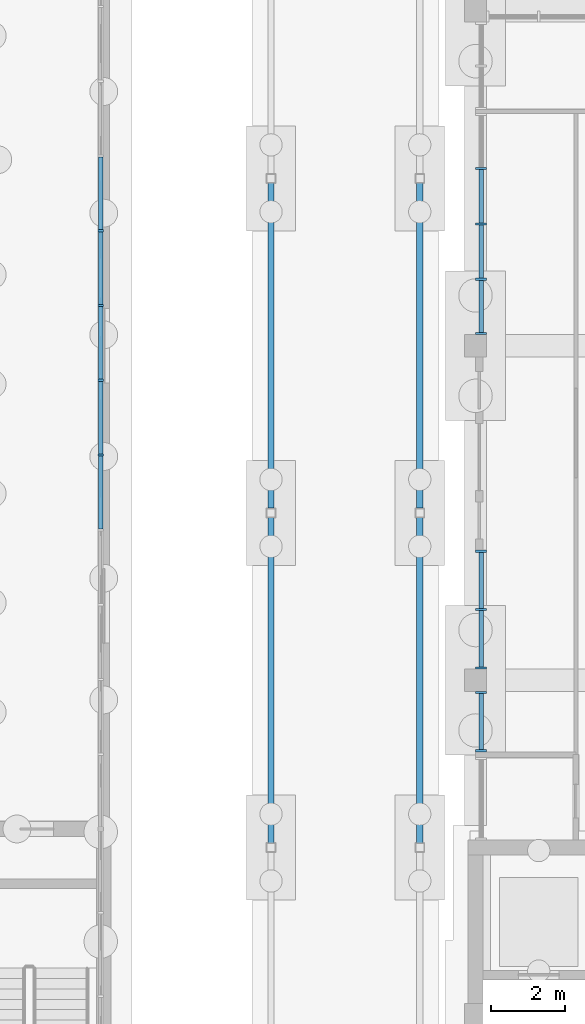
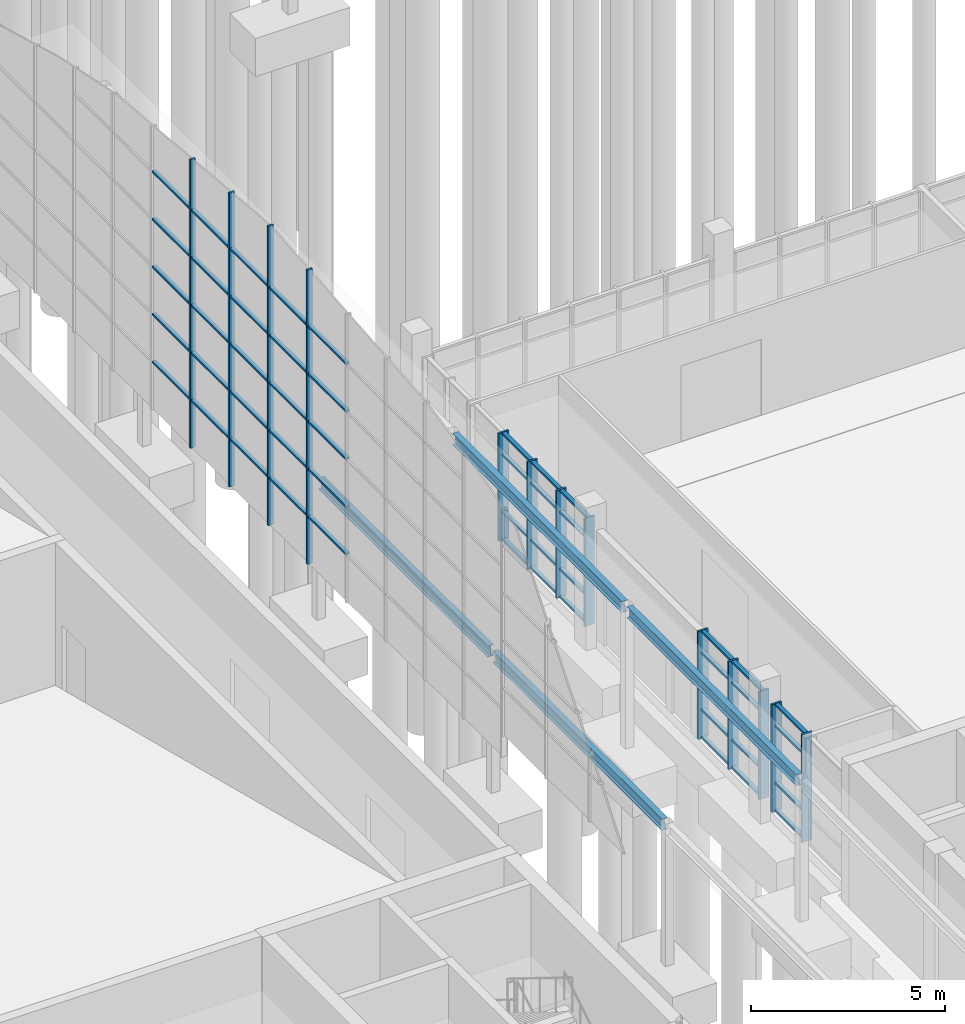
# One storey, part 30 of 106: 62 members, 4 beams, 4 elements without a shape of their own.
"""IFC4 building model written with IfcOpenShell, lengths in metres."""

import ifcopenshell
import ifcopenshell.guid

model = None  # the IFC model being written
_history = None  # IfcOwnerHistory: only IFC2X3 demands one
_inside = {}  # id of a spatial element -> (the spatial element, [elements in it])
_under = {}  # id of a project, library or spatial element -> (it, [spatial elements below it])
_declared = {}  # id of a project -> (the project, [libraries it declares])
_typed = {}  # id of a type object -> (the type object, [elements of that type])
_made_of = {}  # id of a material, layer set ... -> (it, [elements and type objects made of it])


def new_model(schema):
    """Start an empty IFC model of exactly this schema.

    Asked for "IFC4X3", IfcOpenShell would pick the latest addendum, in which some entities
    have other attributes; the version numbers below select the first issue.
    IFC2X3 requires an IfcOwnerHistory on every rooted entity: one is made here for all.
    """
    global model, _history
    if schema == "IFC4X3":
        model = ifcopenshell.file(schema_version=(4, 3, 0, 0))
    else:
        model = ifcopenshell.file(schema=schema)
    _inside.clear()
    _under.clear()
    _declared.clear()
    _typed.clear()
    _made_of.clear()
    _history = None
    if model.schema == "IFC2X3":
        org = make("IfcOrganization", Name="unknown")
        user = make(
            "IfcPersonAndOrganization",
            ThePerson=make("IfcPerson", FamilyName="unknown"),
            TheOrganization=org,
        )
        app = make(
            "IfcApplication",
            ApplicationDeveloper=org,
            Version="unknown",
            ApplicationFullName="unknown",
            ApplicationIdentifier="unknown",
        )
        _history = make(
            "IfcOwnerHistory",
            OwningUser=user,
            OwningApplication=app,
            ChangeAction="ADDED",
            CreationDate=0,
        )
    return model


def make(cls, **values):
    """One entity of the class cls with the attributes given. An attribute that is None is left unset."""
    return model.create_entity(
        cls, **{name: value for name, value in values.items() if value is not None}
    )


def rooted(cls, **values):
    """An entity with a GlobalId (a new one), such as an element, a storey or a relation."""
    return make(cls, GlobalId=ifcopenshell.guid.new(), OwnerHistory=_history, **values)


def si_unit(unit_type, name, prefix=None):
    """IfcSIUnit, for example si_unit("LENGTHUNIT", "METRE", prefix="MILLI")."""
    return make("IfcSIUnit", UnitType=unit_type, Prefix=prefix, Name=name)


def assignment(units):
    """IfcUnitAssignment: the units of a project."""
    return None if units is None else make("IfcUnitAssignment", Units=units)


def point(xyz):
    """IfcCartesianPoint."""
    return None if xyz is None else make("IfcCartesianPoint", Coordinates=xyz)


def direction(xyz):
    """IfcDirection."""
    return None if xyz is None else make("IfcDirection", DirectionRatios=xyz)


def frame(location, z_axis=None, x_axis=None):
    """IfcAxis2Placement3D, a coordinate frame: its origin and axes. An axis left out is left unset."""
    return make(
        "IfcAxis2Placement3D",
        Location=point(location),
        Axis=direction(z_axis),
        RefDirection=direction(x_axis),
    )


def frame_2d(location, x_axis=None):
    """IfcAxis2Placement2D, a coordinate frame in the plane: its origin and x axis."""
    return make(
        "IfcAxis2Placement2D", Location=point(location), RefDirection=direction(x_axis)
    )


def origin():
    """The frame at (0, 0, 0) with its axes left unset."""
    return frame((0.0, 0.0, 0.0))


def origin_2d():
    """The frame at (0, 0) in the plane with its x axis left unset."""
    return frame_2d((0.0, 0.0))


def place(relative_to, where):
    """IfcLocalPlacement: puts the frame where relative to a parent placement (None: the world)."""
    return make(
        "IfcLocalPlacement", PlacementRelTo=relative_to, RelativePlacement=where
    )


def context(
    kind, dimensions, precision=None, world=None, true_north=None, identifier=None
):
    """IfcGeometricRepresentationContext, for example the 3D "Model" context."""
    return make(
        "IfcGeometricRepresentationContext",
        ContextIdentifier=identifier,
        ContextType=kind,
        CoordinateSpaceDimension=dimensions,
        Precision=precision,
        WorldCoordinateSystem=world,
        TrueNorth=true_north,
    )


def subcontext(parent, identifier, kind, view, scale=None):
    """IfcGeometricRepresentationSubContext, for example "Body" below "Model"."""
    return make(
        "IfcGeometricRepresentationSubContext",
        ContextIdentifier=identifier,
        ContextType=kind,
        ParentContext=parent,
        TargetScale=scale,
        TargetView=view,
    )


def project(units=None, contexts=None):
    """IfcProject with its units and contexts."""
    return rooted(
        "IfcProject",
        Name="project",
        RepresentationContexts=contexts,
        UnitsInContext=assignment(units),
    )


def spatial(cls, under=None, at=None, **own):
    """A site, building, storey or space (cls), placed at a placement, below another one or the project."""
    s = rooted(cls, ObjectPlacement=at, **own)
    if under is not None:
        _under.setdefault(under.id(), (under, []))[1].append(s)
    return s


def profile(cls, at=None, kind="AREA", **sizes):
    """A parametric profile (cls). Its sizes go by their IFC names, for example OverallWidth=200.0."""
    return make(cls, ProfileType=kind, Position=at, **sizes)


def rectangle(**sizes):
    """IfcRectangleProfileDef."""
    return profile("IfcRectangleProfileDef", **sizes)


def i_section(**sizes):
    """IfcIShapeProfileDef."""
    return profile("IfcIShapeProfileDef", **sizes)


def extrude(swept, where, along, depth):
    """IfcExtrudedAreaSolid: the profile swept, set in the frame where, extruded along a direction by depth."""
    return make(
        "IfcExtrudedAreaSolid",
        SweptArea=swept,
        Position=where,
        ExtrudedDirection=direction(along),
        Depth=depth,
    )


def shape(context_of_items, identifier, shape_type, items):
    """IfcShapeRepresentation: the items that make up one representation, for example the "Body"."""
    return make(
        "IfcShapeRepresentation",
        ContextOfItems=context_of_items,
        RepresentationIdentifier=identifier,
        RepresentationType=shape_type,
        Items=items,
    )


def material(Name=None, Category=None):
    """IfcMaterial."""
    return make("IfcMaterial", Name=Name, Category=Category)


def material_profile(
    of_material, cross_section, Name=None, Category=None, Priority=None
):
    """IfcMaterialProfile: a cross section and its material."""
    return make(
        "IfcMaterialProfile",
        Name=Name,
        Material=of_material,
        Profile=cross_section,
        Priority=Priority,
        Category=Category,
    )


def profile_set(profiles, Name=None, composite=None):
    """IfcMaterialProfileSet."""
    return make(
        "IfcMaterialProfileSet",
        Name=Name,
        MaterialProfiles=profiles,
        CompositeProfile=composite,
    )


def made_of(thing, what):
    """Note that an element or type object is made of a material, layer set ...; save() writes the relation."""
    if what is not None:
        _made_of.setdefault(what.id(), (what, []))[1].append(thing)
    return thing


def type_object(cls, material=None, **own):
    """A type object (cls), such as IfcWallType, which elements share."""
    return made_of(rooted(cls, **own), material)


def element(
    cls,
    number,
    at=None,
    inside=None,
    cuts=None,
    type_object=None,
    material=None,
    context=None,
    identifier="Body",
    shape_type=None,
    held_by="IfcProductDefinitionShape",
    body=None,
    shapes=None,
    **own,
):
    """One element of the class cls, such as IfcWall. Its Tag is "e" and its number.

    at: its placement. inside: the storey or other place that contains it. cuts: it is an
    opening in that element (IfcRelVoidsElement). A single representation is given by context,
    identifier, shape_type and body (its items); several are given by shapes. held_by: the class
    of the entity that holds the representations. save() writes the other relations.
    """
    e = rooted(cls, Tag="e%d" % number, ObjectPlacement=at, **own)
    if body is not None:
        shapes = [shape(context, identifier, shape_type, body)]
    if shapes is not None:
        e.Representation = make(held_by, Representations=shapes)
    if inside is not None:
        _inside.setdefault(inside.id(), (inside, []))[1].append(e)
    if cuts is not None:
        rooted(
            "IfcRelVoidsElement", RelatingBuildingElement=cuts, RelatedOpeningElement=e
        )
    if type_object is not None:
        _typed.setdefault(type_object.id(), (type_object, []))[1].append(e)
    return made_of(e, material)


def aggregate(whole, parts):
    """IfcRelAggregates: a whole, such as a stair, and the parts it consists of."""
    return rooted("IfcRelAggregates", RelatingObject=whole, RelatedObjects=parts)


def save(model, path):
    """Write the relations noted so far, then the file.

    IfcRelAggregates (storeys below a building ...), IfcRelContainedInSpatialStructure (elements
    in a storey), IfcRelDefinesByType, IfcRelAssociatesMaterial and IfcRelDeclares: one each for
    every whole, place, type object, material and project.
    """
    for whole, parts in _under.values():
        aggregate(whole, parts)
    for where, things in _inside.values():
        rooted(
            "IfcRelContainedInSpatialStructure",
            RelatedElements=things,
            RelatingStructure=where,
        )
    for kind, things in _typed.values():
        rooted("IfcRelDefinesByType", RelatedObjects=things, RelatingType=kind)
    for what, things in _made_of.values():
        rooted("IfcRelAssociatesMaterial", RelatedObjects=things, RelatingMaterial=what)
    for by, libraries in _declared.values():
        rooted("IfcRelDeclares", RelatingContext=by, RelatedDefinitions=libraries)
    model.write(path)


model = new_model("IFC4")

# Units and contexts
model_context = context("Model", 3, precision=1e-05, world=origin(), true_north=direction((0.0, 1.0)))
body_context = subcontext(model_context, "Body", "Model", "MODEL_VIEW")
ifc_project = project(units=[si_unit("LENGTHUNIT", "METRE"), si_unit("AREAUNIT", "SQUARE_METRE"), si_unit("VOLUMEUNIT", "CUBIC_METRE"), si_unit("PLANEANGLEUNIT", "RADIAN"), si_unit("MASSUNIT", "GRAM", prefix="KILO")], contexts=[model_context])

# Site, building, storey
site_placement = place(None, origin())
site = spatial("IfcSite", under=ifc_project, at=site_placement, CompositionType="ELEMENT")
building_placement = place(site_placement, origin())
building = spatial("IfcBuilding", under=site, at=building_placement, Name="Merrow Basin Faculty of Sciences", CompositionType="ELEMENT")
storey_placement = place(building_placement, origin())
storey = spatial("IfcBuildingStorey", under=building, at=storey_placement, Name="L00", CompositionType="ELEMENT", Elevation=0.0)

# Curtain wall, members
ifc_material_1 = material(Name="Aluminium alloy 6063", Category="aluminium")
curtain_wall_type_1 = type_object("IfcCurtainWallType", Name="Arched curtain wall 160", PredefinedType="NOTDEFINED", material=ifc_material_1)
curtain_wall_1_placement = place(storey_placement, origin())
curtain_wall_1 = element("IfcCurtainWall", 1, at=curtain_wall_1_placement, inside=storey, type_object=curtain_wall_type_1, Name="East gable glazing C", PredefinedType="NOTDEFINED")
ifc_material_2 = material(Name="Aluminium alloy 6063", Category="aluminium")
ifc_material_profile_1 = material_profile(ifc_material_2, rectangle(XDim=0.159912109375, YDim=0.06005859375, at=origin_2d()))
ifc_profile_set_1 = profile_set([ifc_material_profile_1], Name="Aluminium alloy 6063")
member_type_1 = type_object("IfcMemberType", Name="Aluminium gable mullion 60x160", PredefinedType="MULLION", material=ifc_profile_set_1)
member_1_placement = place(storey_placement, frame((34.919921875, 24.055908203125, 7.5), z_axis=(0.0, 0.0, 1.0), x_axis=(1.0, 0.0, 0.0)))
member_1 = element("IfcMember", 2, at=member_1_placement, type_object=member_type_1, Name="CW4 mullion 6", PredefinedType="MULLION", context=body_context, shape_type="SweptSolid", body=[
    extrude(rectangle(XDim=0.159912109375, YDim=0.06005859375, at=origin_2d()), origin(), (0.0, 0.0, 1.0), 9.277099609375),
])
member_2_placement = place(storey_placement, frame((34.919921875, 26.06689453125, 7.5), z_axis=(0.0, 0.0, 1.0), x_axis=(1.0, 0.0, 0.0)))
member_2 = element("IfcMember", 3, at=member_2_placement, type_object=member_type_1, Name="CW4 mullion 7", PredefinedType="MULLION", context=body_context, shape_type="SweptSolid", body=[
    extrude(rectangle(XDim=0.159912109375, YDim=0.06005859375, at=origin_2d()), origin(), (0.0, 0.0, 1.0), 9.43994140625),
])
member_3_placement = place(storey_placement, frame((34.919921875, 28.077880859375, 7.5), z_axis=(0.0, 0.0, 1.0), x_axis=(1.0, 0.0, 0.0)))
member_3 = element("IfcMember", 4, at=member_3_placement, type_object=member_type_1, Name="CW4 mullion 8", PredefinedType="MULLION", context=body_context, shape_type="SweptSolid", body=[
    extrude(rectangle(XDim=0.159912109375, YDim=0.06005859375, at=origin_2d()), origin(), (0.0, 0.0, 1.0), 9.264892578125),
])
member_4_placement = place(storey_placement, frame((34.919921875, 30.089111328125, 7.5), z_axis=(0.0, 0.0, 1.0), x_axis=(1.0, 0.0, 0.0)))
member_4 = element("IfcMember", 5, at=member_4_placement, type_object=member_type_1, Name="CW4 mullion 9", PredefinedType="MULLION", context=body_context, shape_type="SweptSolid", body=[
    extrude(rectangle(XDim=0.159912109375, YDim=0.06005859375, at=origin_2d()), origin(), (0.0, 0.0, 1.0), 9.090087890625),
])
ifc_material_3 = material(Name="Aluminium alloy 6063", Category="aluminium")
ifc_material_profile_2 = material_profile(ifc_material_3, rectangle(XDim=0.1201171875, YDim=0.06005859375, at=origin_2d()))
ifc_profile_set_2 = profile_set([ifc_material_profile_2], Name="Aluminium alloy 6063")
member_type_2 = type_object("IfcMemberType", Name="Aluminium gable transom 60x120", PredefinedType="USERDEFINED", material=ifc_profile_set_2)
member_5_placement = place(storey_placement, frame((34.919921875, 22.073974609375, 9.0), z_axis=(0.0, 1.0, 0.0), x_axis=(-1.0, 0.0, 0.0)))
member_5 = element("IfcMember", 6, at=member_5_placement, type_object=member_type_2, Name="CW4 transom 5.1", ObjectType="TRANSOM", PredefinedType="USERDEFINED", context=body_context, shape_type="SweptSolid", body=[
    extrude(rectangle(XDim=0.1201171875, YDim=0.06005859375, at=origin_2d()), origin(), (0.0, 0.0, 1.0), 1.951904296875),
])
member_6_placement = place(storey_placement, frame((34.919921875, 22.073974609375, 10.5), z_axis=(0.0, 1.0, 0.0), x_axis=(-1.0, 0.0, 0.0)))
member_6 = element("IfcMember", 7, at=member_6_placement, type_object=member_type_2, Name="CW4 transom 5.2", ObjectType="TRANSOM", PredefinedType="USERDEFINED", context=body_context, shape_type="SweptSolid", body=[
    extrude(rectangle(XDim=0.1201171875, YDim=0.06005859375, at=origin_2d()), origin(), (0.0, 0.0, 1.0), 1.951904296875),
])
member_7_placement = place(storey_placement, frame((34.919921875, 22.073974609375, 12.0), z_axis=(0.0, 1.0, 0.0), x_axis=(-1.0, 0.0, 0.0)))
member_7 = element("IfcMember", 8, at=member_7_placement, type_object=member_type_2, Name="CW4 transom 5.3", ObjectType="TRANSOM", PredefinedType="USERDEFINED", context=body_context, shape_type="SweptSolid", body=[
    extrude(rectangle(XDim=0.1201171875, YDim=0.06005859375, at=origin_2d()), origin(), (0.0, 0.0, 1.0), 1.951904296875),
])
member_8_placement = place(storey_placement, frame((34.919921875, 22.073974609375, 13.5), z_axis=(0.0, 1.0, 0.0), x_axis=(-1.0, 0.0, 0.0)))
member_8 = element("IfcMember", 9, at=member_8_placement, type_object=member_type_2, Name="CW4 transom 5.4", ObjectType="TRANSOM", PredefinedType="USERDEFINED", context=body_context, shape_type="SweptSolid", body=[
    extrude(rectangle(XDim=0.1201171875, YDim=0.06005859375, at=origin_2d()), origin(), (0.0, 0.0, 1.0), 1.951904296875),
])
member_9_placement = place(storey_placement, frame((34.919921875, 22.073974609375, 15.0), z_axis=(0.0, 1.0, 0.0), x_axis=(-1.0, 0.0, 0.0)))
member_9 = element("IfcMember", 10, at=member_9_placement, type_object=member_type_2, Name="CW4 transom 5.5", ObjectType="TRANSOM", PredefinedType="USERDEFINED", context=body_context, shape_type="SweptSolid", body=[
    extrude(rectangle(XDim=0.1201171875, YDim=0.06005859375, at=origin_2d()), origin(), (0.0, 0.0, 1.0), 1.951904296875),
])
member_10_placement = place(storey_placement, frame((34.919921875, 24.0859375, 9.0), z_axis=(0.0, 1.0, 0.0), x_axis=(-1.0, 0.0, 0.0)))
member_10 = element("IfcMember", 11, at=member_10_placement, type_object=member_type_2, Name="CW4 transom 6.1", ObjectType="TRANSOM", PredefinedType="USERDEFINED", context=body_context, shape_type="SweptSolid", body=[
    extrude(rectangle(XDim=0.1201171875, YDim=0.06005859375, at=origin_2d()), origin(), (0.0, 0.0, 1.0), 1.951171875),
])
member_11_placement = place(storey_placement, frame((34.919921875, 24.0859375, 10.5), z_axis=(0.0, 1.0, 0.0), x_axis=(-1.0, 0.0, 0.0)))
member_11 = element("IfcMember", 12, at=member_11_placement, type_object=member_type_2, Name="CW4 transom 6.2", ObjectType="TRANSOM", PredefinedType="USERDEFINED", context=body_context, shape_type="SweptSolid", body=[
    extrude(rectangle(XDim=0.1201171875, YDim=0.06005859375, at=origin_2d()), origin(), (0.0, 0.0, 1.0), 1.951171875),
])
member_12_placement = place(storey_placement, frame((34.919921875, 24.0859375, 12.0), z_axis=(0.0, 1.0, 0.0), x_axis=(-1.0, 0.0, 0.0)))
member_12 = element("IfcMember", 13, at=member_12_placement, type_object=member_type_2, Name="CW4 transom 6.3", ObjectType="TRANSOM", PredefinedType="USERDEFINED", context=body_context, shape_type="SweptSolid", body=[
    extrude(rectangle(XDim=0.1201171875, YDim=0.06005859375, at=origin_2d()), origin(), (0.0, 0.0, 1.0), 1.951171875),
])
member_13_placement = place(storey_placement, frame((34.919921875, 24.0859375, 13.5), z_axis=(0.0, 1.0, 0.0), x_axis=(-1.0, 0.0, 0.0)))
member_13 = element("IfcMember", 14, at=member_13_placement, type_object=member_type_2, Name="CW4 transom 6.4", ObjectType="TRANSOM", PredefinedType="USERDEFINED", context=body_context, shape_type="SweptSolid", body=[
    extrude(rectangle(XDim=0.1201171875, YDim=0.06005859375, at=origin_2d()), origin(), (0.0, 0.0, 1.0), 1.951171875),
])
member_14_placement = place(storey_placement, frame((34.919921875, 24.0859375, 15.0), z_axis=(0.0, 1.0, 0.0), x_axis=(-1.0, 0.0, 0.0)))
member_14 = element("IfcMember", 15, at=member_14_placement, type_object=member_type_2, Name="CW4 transom 6.5", ObjectType="TRANSOM", PredefinedType="USERDEFINED", context=body_context, shape_type="SweptSolid", body=[
    extrude(rectangle(XDim=0.1201171875, YDim=0.06005859375, at=origin_2d()), origin(), (0.0, 0.0, 1.0), 1.951171875),
])
member_15_placement = place(storey_placement, frame((34.919921875, 26.096923828125, 9.0), z_axis=(0.0, 1.0, 0.0), x_axis=(-1.0, 0.0, 0.0)))
member_15 = element("IfcMember", 16, at=member_15_placement, type_object=member_type_2, Name="CW4 transom 7.1", ObjectType="TRANSOM", PredefinedType="USERDEFINED", context=body_context, shape_type="SweptSolid", body=[
    extrude(rectangle(XDim=0.1201171875, YDim=0.06005859375, at=origin_2d()), origin(), (0.0, 0.0, 1.0), 1.951171875),
])
member_16_placement = place(storey_placement, frame((34.919921875, 26.096923828125, 10.5), z_axis=(0.0, 1.0, 0.0), x_axis=(-1.0, 0.0, 0.0)))
member_16 = element("IfcMember", 17, at=member_16_placement, type_object=member_type_2, Name="CW4 transom 7.2", ObjectType="TRANSOM", PredefinedType="USERDEFINED", context=body_context, shape_type="SweptSolid", body=[
    extrude(rectangle(XDim=0.1201171875, YDim=0.06005859375, at=origin_2d()), origin(), (0.0, 0.0, 1.0), 1.951171875),
])
member_17_placement = place(storey_placement, frame((34.919921875, 26.096923828125, 12.0), z_axis=(0.0, 1.0, 0.0), x_axis=(-1.0, 0.0, 0.0)))
member_17 = element("IfcMember", 18, at=member_17_placement, type_object=member_type_2, Name="CW4 transom 7.3", ObjectType="TRANSOM", PredefinedType="USERDEFINED", context=body_context, shape_type="SweptSolid", body=[
    extrude(rectangle(XDim=0.1201171875, YDim=0.06005859375, at=origin_2d()), origin(), (0.0, 0.0, 1.0), 1.951171875),
])
member_18_placement = place(storey_placement, frame((34.919921875, 26.096923828125, 13.5), z_axis=(0.0, 1.0, 0.0), x_axis=(-1.0, 0.0, 0.0)))
member_18 = element("IfcMember", 19, at=member_18_placement, type_object=member_type_2, Name="CW4 transom 7.4", ObjectType="TRANSOM", PredefinedType="USERDEFINED", context=body_context, shape_type="SweptSolid", body=[
    extrude(rectangle(XDim=0.1201171875, YDim=0.06005859375, at=origin_2d()), origin(), (0.0, 0.0, 1.0), 1.951171875),
])
member_19_placement = place(storey_placement, frame((34.919921875, 26.096923828125, 15.0), z_axis=(0.0, 1.0, 0.0), x_axis=(-1.0, 0.0, 0.0)))
member_19 = element("IfcMember", 20, at=member_19_placement, type_object=member_type_2, Name="CW4 transom 7.5", ObjectType="TRANSOM", PredefinedType="USERDEFINED", context=body_context, shape_type="SweptSolid", body=[
    extrude(rectangle(XDim=0.1201171875, YDim=0.06005859375, at=origin_2d()), origin(), (0.0, 0.0, 1.0), 1.951171875),
])
member_20_placement = place(storey_placement, frame((34.919921875, 28.10791015625, 9.0), z_axis=(0.0, 1.0, 0.0), x_axis=(-1.0, 0.0, 0.0)))
member_20 = element("IfcMember", 21, at=member_20_placement, type_object=member_type_2, Name="CW4 transom 8.1", ObjectType="TRANSOM", PredefinedType="USERDEFINED", context=body_context, shape_type="SweptSolid", body=[
    extrude(rectangle(XDim=0.1201171875, YDim=0.06005859375, at=origin_2d()), origin(), (0.0, 0.0, 1.0), 1.951171875),
])
member_21_placement = place(storey_placement, frame((34.919921875, 28.10791015625, 10.5), z_axis=(0.0, 1.0, 0.0), x_axis=(-1.0, 0.0, 0.0)))
member_21 = element("IfcMember", 22, at=member_21_placement, type_object=member_type_2, Name="CW4 transom 8.2", ObjectType="TRANSOM", PredefinedType="USERDEFINED", context=body_context, shape_type="SweptSolid", body=[
    extrude(rectangle(XDim=0.1201171875, YDim=0.06005859375, at=origin_2d()), origin(), (0.0, 0.0, 1.0), 1.951171875),
])
member_22_placement = place(storey_placement, frame((34.919921875, 28.10791015625, 12.0), z_axis=(0.0, 1.0, 0.0), x_axis=(-1.0, 0.0, 0.0)))
member_22 = element("IfcMember", 23, at=member_22_placement, type_object=member_type_2, Name="CW4 transom 8.3", ObjectType="TRANSOM", PredefinedType="USERDEFINED", context=body_context, shape_type="SweptSolid", body=[
    extrude(rectangle(XDim=0.1201171875, YDim=0.06005859375, at=origin_2d()), origin(), (0.0, 0.0, 1.0), 1.951171875),
])
member_23_placement = place(storey_placement, frame((34.919921875, 28.10791015625, 13.5), z_axis=(0.0, 1.0, 0.0), x_axis=(-1.0, 0.0, 0.0)))
member_23 = element("IfcMember", 24, at=member_23_placement, type_object=member_type_2, Name="CW4 transom 8.4", ObjectType="TRANSOM", PredefinedType="USERDEFINED", context=body_context, shape_type="SweptSolid", body=[
    extrude(rectangle(XDim=0.1201171875, YDim=0.06005859375, at=origin_2d()), origin(), (0.0, 0.0, 1.0), 1.951171875),
])
member_24_placement = place(storey_placement, frame((34.919921875, 28.10791015625, 15.0), z_axis=(0.0, 1.0, 0.0), x_axis=(-1.0, 0.0, 0.0)))
member_24 = element("IfcMember", 25, at=member_24_placement, type_object=member_type_2, Name="CW4 transom 8.5", ObjectType="TRANSOM", PredefinedType="USERDEFINED", context=body_context, shape_type="SweptSolid", body=[
    extrude(rectangle(XDim=0.1201171875, YDim=0.06005859375, at=origin_2d()), origin(), (0.0, 0.0, 1.0), 1.951171875),
])
member_25_placement = place(storey_placement, frame((34.919921875, 30.118896484375, 9.0), z_axis=(0.0, 1.0, 0.0), x_axis=(-1.0, 0.0, 0.0)))
member_25 = element("IfcMember", 26, at=member_25_placement, type_object=member_type_2, Name="CW4 transom 9.1", ObjectType="TRANSOM", PredefinedType="USERDEFINED", context=body_context, shape_type="SweptSolid", body=[
    extrude(rectangle(XDim=0.1201171875, YDim=0.06005859375, at=origin_2d()), origin(), (0.0, 0.0, 1.0), 1.951171875),
])
member_26_placement = place(storey_placement, frame((34.919921875, 30.118896484375, 10.5), z_axis=(0.0, 1.0, 0.0), x_axis=(-1.0, 0.0, 0.0)))
member_26 = element("IfcMember", 27, at=member_26_placement, type_object=member_type_2, Name="CW4 transom 9.2", ObjectType="TRANSOM", PredefinedType="USERDEFINED", context=body_context, shape_type="SweptSolid", body=[
    extrude(rectangle(XDim=0.1201171875, YDim=0.06005859375, at=origin_2d()), origin(), (0.0, 0.0, 1.0), 1.951171875),
])
member_27_placement = place(storey_placement, frame((34.919921875, 30.118896484375, 12.0), z_axis=(0.0, 1.0, 0.0), x_axis=(-1.0, 0.0, 0.0)))
member_27 = element("IfcMember", 28, at=member_27_placement, type_object=member_type_2, Name="CW4 transom 9.3", ObjectType="TRANSOM", PredefinedType="USERDEFINED", context=body_context, shape_type="SweptSolid", body=[
    extrude(rectangle(XDim=0.1201171875, YDim=0.06005859375, at=origin_2d()), origin(), (0.0, 0.0, 1.0), 1.951171875),
])
member_28_placement = place(storey_placement, frame((34.919921875, 30.118896484375, 13.5), z_axis=(0.0, 1.0, 0.0), x_axis=(-1.0, 0.0, 0.0)))
member_28 = element("IfcMember", 29, at=member_28_placement, type_object=member_type_2, Name="CW4 transom 9.4", ObjectType="TRANSOM", PredefinedType="USERDEFINED", context=body_context, shape_type="SweptSolid", body=[
    extrude(rectangle(XDim=0.1201171875, YDim=0.06005859375, at=origin_2d()), origin(), (0.0, 0.0, 1.0), 1.951171875),
])
member_29_placement = place(storey_placement, frame((34.919921875, 30.118896484375, 15.0), z_axis=(0.0, 1.0, 0.0), x_axis=(-1.0, 0.0, 0.0)))
member_29 = element("IfcMember", 30, at=member_29_placement, type_object=member_type_2, Name="CW4 transom 9.5", ObjectType="TRANSOM", PredefinedType="USERDEFINED", context=body_context, shape_type="SweptSolid", body=[
    extrude(rectangle(XDim=0.1201171875, YDim=0.06005859375, at=origin_2d()), origin(), (0.0, 0.0, 1.0), 1.951171875),
])
aggregate(curtain_wall_1, [member_1, member_2, member_3, member_4, member_5, member_6, member_7, member_8, member_9, member_10, member_11, member_12, member_13, member_14, member_15, member_16, member_17, member_18, member_19, member_20, member_21, member_22, member_23, member_24, member_25, member_26, member_27, member_28, member_29])

ifc_material_4 = material(Name="Aluminium alloy 6063", Category="aluminium")
curtain_wall_type_2 = type_object("IfcCurtainWallType", Name="Atrium concourse curtain wall 300", PredefinedType="NOTDEFINED", material=ifc_material_4)
curtain_wall_2_placement = place(storey_placement, origin())
curtain_wall_2 = element("IfcCurtainWall", 31, at=curtain_wall_2_placement, inside=storey, type_object=curtain_wall_type_2, Name="W curtain wall L00 2", PredefinedType="NOTDEFINED")
ifc_material_5 = material(Name="Aluminium alloy 6063", Category="aluminium")
ifc_material_profile_3 = material_profile(ifc_material_5, rectangle(XDim=0.300048828125, YDim=0.06005859375, at=origin_2d()))
ifc_profile_set_3 = profile_set([ifc_material_profile_3], Name="Aluminium alloy 6063")
member_type_3 = type_object("IfcMemberType", Name="Aluminium mullion 60x300", PredefinedType="MULLION", material=ifc_profile_set_3)
member_30_placement = place(storey_placement, frame((45.14990234375, 16.10498046875, 0.0), z_axis=(0.0, 0.0, 1.0), x_axis=(-1.0, 0.0, 0.0)))
member_30 = element("IfcMember", 32, at=member_30_placement, type_object=member_type_3, Name="CW6 mullion 1", PredefinedType="MULLION", context=body_context, shape_type="SweptSolid", body=[
    extrude(rectangle(XDim=0.300048828125, YDim=0.06005859375, at=origin_2d()), origin(), (0.0, 0.0, 1.0), 3.39990234375),
])
member_31_placement = place(storey_placement, frame((45.14990234375, 17.669921875, 0.0), z_axis=(0.0, 0.0, 1.0), x_axis=(-1.0, 0.0, 0.0)))
member_31 = element("IfcMember", 33, at=member_31_placement, type_object=member_type_3, Name="CW6 mullion 2", PredefinedType="MULLION", context=body_context, shape_type="SweptSolid", body=[
    extrude(rectangle(XDim=0.300048828125, YDim=0.06005859375, at=origin_2d()), origin(), (0.0, 0.0, 1.0), 3.39990234375),
])

curtain_wall_3_placement = place(storey_placement, origin())
curtain_wall_3 = element("IfcCurtainWall", 34, at=curtain_wall_3_placement, inside=storey, type_object=curtain_wall_type_2, Name="W curtain wall L00 3", PredefinedType="NOTDEFINED")
member_32_placement = place(storey_placement, frame((45.14990234375, 18.330078125, 0.0), z_axis=(0.0, 0.0, 1.0), x_axis=(-1.0, 0.0, 0.0)))
member_32 = element("IfcMember", 35, at=member_32_placement, type_object=member_type_3, Name="CW6 mullion 1", PredefinedType="MULLION", context=body_context, shape_type="SweptSolid", body=[
    extrude(rectangle(XDim=0.300048828125, YDim=0.06005859375, at=origin_2d()), origin(), (0.0, 0.0, 1.0), 3.39990234375),
])
member_33_placement = place(storey_placement, frame((45.14990234375, 19.89990234375, 0.0), z_axis=(0.0, 0.0, 1.0), x_axis=(-1.0, 0.0, 0.0)))
member_33 = element("IfcMember", 36, at=member_33_placement, type_object=member_type_3, Name="CW6 mullion 2", PredefinedType="MULLION", context=body_context, shape_type="SweptSolid", body=[
    extrude(rectangle(XDim=0.300048828125, YDim=0.06005859375, at=origin_2d()), origin(), (0.0, 0.0, 1.0), 3.39990234375),
])
member_34_placement = place(storey_placement, frame((45.14990234375, 21.469970703125, 0.0), z_axis=(0.0, 0.0, 1.0), x_axis=(-1.0, 0.0, 0.0)))
member_34 = element("IfcMember", 37, at=member_34_placement, type_object=member_type_3, Name="CW6 mullion 3", PredefinedType="MULLION", context=body_context, shape_type="SweptSolid", body=[
    extrude(rectangle(XDim=0.300048828125, YDim=0.06005859375, at=origin_2d()), origin(), (0.0, 0.0, 1.0), 3.39990234375),
])

curtain_wall_4_placement = place(storey_placement, origin())
curtain_wall_4 = element("IfcCurtainWall", 38, at=curtain_wall_4_placement, inside=storey, type_object=curtain_wall_type_2, Name="W curtain wall L00 4", PredefinedType="NOTDEFINED")
member_35_placement = place(storey_placement, frame((45.14990234375, 27.330078125, 0.0), z_axis=(0.0, 0.0, 1.0), x_axis=(-1.0, 0.0, 0.0)))
member_35 = element("IfcMember", 39, at=member_35_placement, type_object=member_type_3, Name="CW6 mullion 1", PredefinedType="MULLION", context=body_context, shape_type="SweptSolid", body=[
    extrude(rectangle(XDim=0.300048828125, YDim=0.06005859375, at=origin_2d()), origin(), (0.0, 0.0, 1.0), 3.39990234375),
])
member_36_placement = place(storey_placement, frame((45.14990234375, 28.78759765625, 0.0), z_axis=(0.0, 0.0, 1.0), x_axis=(-1.0, 0.0, 0.0)))
member_36 = element("IfcMember", 40, at=member_36_placement, type_object=member_type_3, Name="CW6 mullion 2", PredefinedType="MULLION", context=body_context, shape_type="SweptSolid", body=[
    extrude(rectangle(XDim=0.300048828125, YDim=0.06005859375, at=origin_2d()), origin(), (0.0, 0.0, 1.0), 3.39990234375),
])
member_37_placement = place(storey_placement, frame((45.14990234375, 30.27490234375, 0.0), z_axis=(0.0, 0.0, 1.0), x_axis=(-1.0, 0.0, 0.0)))
member_37 = element("IfcMember", 41, at=member_37_placement, type_object=member_type_3, Name="CW6 mullion 3", PredefinedType="MULLION", context=body_context, shape_type="SweptSolid", body=[
    extrude(rectangle(XDim=0.300048828125, YDim=0.06005859375, at=origin_2d()), origin(), (0.0, 0.0, 1.0), 3.39990234375),
])
member_38_placement = place(storey_placement, frame((45.14990234375, 31.762451171875, 0.0), z_axis=(0.0, 0.0, 1.0), x_axis=(-1.0, 0.0, 0.0)))
member_38 = element("IfcMember", 42, at=member_38_placement, type_object=member_type_3, Name="CW6 mullion 4", PredefinedType="MULLION", context=body_context, shape_type="SweptSolid", body=[
    extrude(rectangle(XDim=0.300048828125, YDim=0.06005859375, at=origin_2d()), origin(), (0.0, 0.0, 1.0), 3.39990234375),
])

# Member
ifc_material_6 = material(Name="Aluminium alloy 6063", Category="aluminium")
ifc_material_profile_4 = material_profile(ifc_material_6, rectangle(XDim=0.1201171875, YDim=0.06005859375, at=origin_2d()))
ifc_profile_set_4 = profile_set([ifc_material_profile_4], Name="Aluminium alloy 6063")
member_type_4 = type_object("IfcMemberType", Name="Aluminium transom 60x120", PredefinedType="USERDEFINED", material=ifc_profile_set_4)
member_39_placement = place(storey_placement, frame((45.14990234375, 16.135009765625, 0.030029296875), z_axis=(0.0, 1.0, 0.0), x_axis=(-1.0, 0.0, 0.0)))
member_39 = element("IfcMember", 43, at=member_39_placement, type_object=member_type_4, Name="CW6 transom 1.1", ObjectType="TRANSOM", PredefinedType="USERDEFINED", context=body_context, shape_type="SweptSolid", body=[
    extrude(rectangle(XDim=0.1201171875, YDim=0.06005859375, at=origin_2d()), origin(), (0.0, 0.0, 1.0), 1.5048828125),
])

member_40_placement = place(storey_placement, frame((45.14990234375, 16.135009765625, 0.89990234375), z_axis=(0.0, 1.0, 0.0), x_axis=(-1.0, 0.0, 0.0)))
member_40 = element("IfcMember", 44, at=member_40_placement, type_object=member_type_4, Name="CW6 transom 1.2", ObjectType="TRANSOM", PredefinedType="USERDEFINED", context=body_context, shape_type="SweptSolid", body=[
    extrude(rectangle(XDim=0.1201171875, YDim=0.06005859375, at=origin_2d()), origin(), (0.0, 0.0, 1.0), 1.5048828125),
])

member_41_placement = place(storey_placement, frame((45.14990234375, 16.135009765625, 2.699951171875), z_axis=(0.0, 1.0, 0.0), x_axis=(-1.0, 0.0, 0.0)))
member_41 = element("IfcMember", 45, at=member_41_placement, type_object=member_type_4, Name="CW6 transom 1.3", ObjectType="TRANSOM", PredefinedType="USERDEFINED", context=body_context, shape_type="SweptSolid", body=[
    extrude(rectangle(XDim=0.1201171875, YDim=0.06005859375, at=origin_2d()), origin(), (0.0, 0.0, 1.0), 1.5048828125),
])

member_42_placement = place(storey_placement, frame((45.14990234375, 16.135009765625, 3.3701171875), z_axis=(0.0, 1.0, 0.0), x_axis=(-1.0, 0.0, 0.0)))
member_42 = element("IfcMember", 46, at=member_42_placement, type_object=member_type_4, Name="CW6 transom 1.4", ObjectType="TRANSOM", PredefinedType="USERDEFINED", context=body_context, shape_type="SweptSolid", body=[
    extrude(rectangle(XDim=0.1201171875, YDim=0.06005859375, at=origin_2d()), origin(), (0.0, 0.0, 1.0), 1.5048828125),
])

aggregate(curtain_wall_2, [member_30, member_31, member_39, member_40, member_41, member_42])

member_43_placement = place(storey_placement, frame((45.14990234375, 18.360107421875, 0.030029296875), z_axis=(0.0, 1.0, 0.0), x_axis=(-1.0, 0.0, 0.0)))
member_43 = element("IfcMember", 47, at=member_43_placement, type_object=member_type_4, Name="CW6 transom 1.1", ObjectType="TRANSOM", PredefinedType="USERDEFINED", context=body_context, shape_type="SweptSolid", body=[
    extrude(rectangle(XDim=0.1201171875, YDim=0.06005859375, at=origin_2d()), origin(), (0.0, 0.0, 1.0), 1.510009765625),
])

member_44_placement = place(storey_placement, frame((45.14990234375, 18.360107421875, 0.89990234375), z_axis=(0.0, 1.0, 0.0), x_axis=(-1.0, 0.0, 0.0)))
member_44 = element("IfcMember", 48, at=member_44_placement, type_object=member_type_4, Name="CW6 transom 1.2", ObjectType="TRANSOM", PredefinedType="USERDEFINED", context=body_context, shape_type="SweptSolid", body=[
    extrude(rectangle(XDim=0.1201171875, YDim=0.06005859375, at=origin_2d()), origin(), (0.0, 0.0, 1.0), 1.510009765625),
])

member_45_placement = place(storey_placement, frame((45.14990234375, 18.360107421875, 2.699951171875), z_axis=(0.0, 1.0, 0.0), x_axis=(-1.0, 0.0, 0.0)))
member_45 = element("IfcMember", 49, at=member_45_placement, type_object=member_type_4, Name="CW6 transom 1.3", ObjectType="TRANSOM", PredefinedType="USERDEFINED", context=body_context, shape_type="SweptSolid", body=[
    extrude(rectangle(XDim=0.1201171875, YDim=0.06005859375, at=origin_2d()), origin(), (0.0, 0.0, 1.0), 1.510009765625),
])

member_46_placement = place(storey_placement, frame((45.14990234375, 18.360107421875, 3.3701171875), z_axis=(0.0, 1.0, 0.0), x_axis=(-1.0, 0.0, 0.0)))
member_46 = element("IfcMember", 50, at=member_46_placement, type_object=member_type_4, Name="CW6 transom 1.4", ObjectType="TRANSOM", PredefinedType="USERDEFINED", context=body_context, shape_type="SweptSolid", body=[
    extrude(rectangle(XDim=0.1201171875, YDim=0.06005859375, at=origin_2d()), origin(), (0.0, 0.0, 1.0), 1.510009765625),
])

member_47_placement = place(storey_placement, frame((45.14990234375, 19.929931640625, 0.030029296875), z_axis=(0.0, 1.0, 0.0), x_axis=(-1.0, 0.0, 0.0)))
member_47 = element("IfcMember", 51, at=member_47_placement, type_object=member_type_4, Name="CW6 transom 2.1", ObjectType="TRANSOM", PredefinedType="USERDEFINED", context=body_context, shape_type="SweptSolid", body=[
    extrude(rectangle(XDim=0.1201171875, YDim=0.06005859375, at=origin_2d()), origin(), (0.0, 0.0, 1.0), 1.510009765625),
])

member_48_placement = place(storey_placement, frame((45.14990234375, 19.929931640625, 0.89990234375), z_axis=(0.0, 1.0, 0.0), x_axis=(-1.0, 0.0, 0.0)))
member_48 = element("IfcMember", 52, at=member_48_placement, type_object=member_type_4, Name="CW6 transom 2.2", ObjectType="TRANSOM", PredefinedType="USERDEFINED", context=body_context, shape_type="SweptSolid", body=[
    extrude(rectangle(XDim=0.1201171875, YDim=0.06005859375, at=origin_2d()), origin(), (0.0, 0.0, 1.0), 1.510009765625),
])

member_49_placement = place(storey_placement, frame((45.14990234375, 19.929931640625, 2.699951171875), z_axis=(0.0, 1.0, 0.0), x_axis=(-1.0, 0.0, 0.0)))
member_49 = element("IfcMember", 53, at=member_49_placement, type_object=member_type_4, Name="CW6 transom 2.3", ObjectType="TRANSOM", PredefinedType="USERDEFINED", context=body_context, shape_type="SweptSolid", body=[
    extrude(rectangle(XDim=0.1201171875, YDim=0.06005859375, at=origin_2d()), origin(), (0.0, 0.0, 1.0), 1.510009765625),
])

member_50_placement = place(storey_placement, frame((45.14990234375, 19.929931640625, 3.3701171875), z_axis=(0.0, 1.0, 0.0), x_axis=(-1.0, 0.0, 0.0)))
member_50 = element("IfcMember", 54, at=member_50_placement, type_object=member_type_4, Name="CW6 transom 2.4", ObjectType="TRANSOM", PredefinedType="USERDEFINED", context=body_context, shape_type="SweptSolid", body=[
    extrude(rectangle(XDim=0.1201171875, YDim=0.06005859375, at=origin_2d()), origin(), (0.0, 0.0, 1.0), 1.510009765625),
])

aggregate(curtain_wall_3, [member_32, member_33, member_34, member_43, member_44, member_45, member_46, member_47, member_48, member_49, member_50])

member_51_placement = place(storey_placement, frame((45.14990234375, 27.360107421875, 0.030029296875), z_axis=(0.0, 1.0, 0.0), x_axis=(-1.0, 0.0, 0.0)))
member_51 = element("IfcMember", 55, at=member_51_placement, type_object=member_type_4, Name="CW6 transom 1.1", ObjectType="TRANSOM", PredefinedType="USERDEFINED", context=body_context, shape_type="SweptSolid", body=[
    extrude(rectangle(XDim=0.1201171875, YDim=0.06005859375, at=origin_2d()), origin(), (0.0, 0.0, 1.0), 1.3974609375),
])

member_52_placement = place(storey_placement, frame((45.14990234375, 27.360107421875, 0.89990234375), z_axis=(0.0, 1.0, 0.0), x_axis=(-1.0, 0.0, 0.0)))
member_52 = element("IfcMember", 56, at=member_52_placement, type_object=member_type_4, Name="CW6 transom 1.2", ObjectType="TRANSOM", PredefinedType="USERDEFINED", context=body_context, shape_type="SweptSolid", body=[
    extrude(rectangle(XDim=0.1201171875, YDim=0.06005859375, at=origin_2d()), origin(), (0.0, 0.0, 1.0), 1.3974609375),
])

member_53_placement = place(storey_placement, frame((45.14990234375, 27.360107421875, 2.699951171875), z_axis=(0.0, 1.0, 0.0), x_axis=(-1.0, 0.0, 0.0)))
member_53 = element("IfcMember", 57, at=member_53_placement, type_object=member_type_4, Name="CW6 transom 1.3", ObjectType="TRANSOM", PredefinedType="USERDEFINED", context=body_context, shape_type="SweptSolid", body=[
    extrude(rectangle(XDim=0.1201171875, YDim=0.06005859375, at=origin_2d()), origin(), (0.0, 0.0, 1.0), 1.3974609375),
])

member_54_placement = place(storey_placement, frame((45.14990234375, 27.360107421875, 3.3701171875), z_axis=(0.0, 1.0, 0.0), x_axis=(-1.0, 0.0, 0.0)))
member_54 = element("IfcMember", 58, at=member_54_placement, type_object=member_type_4, Name="CW6 transom 1.4", ObjectType="TRANSOM", PredefinedType="USERDEFINED", context=body_context, shape_type="SweptSolid", body=[
    extrude(rectangle(XDim=0.1201171875, YDim=0.06005859375, at=origin_2d()), origin(), (0.0, 0.0, 1.0), 1.3974609375),
])

member_55_placement = place(storey_placement, frame((45.14990234375, 28.8173828125, 0.030029296875), z_axis=(0.0, 1.0, 0.0), x_axis=(-1.0, 0.0, 0.0)))
member_55 = element("IfcMember", 59, at=member_55_placement, type_object=member_type_4, Name="CW6 transom 2.1", ObjectType="TRANSOM", PredefinedType="USERDEFINED", context=body_context, shape_type="SweptSolid", body=[
    extrude(rectangle(XDim=0.1201171875, YDim=0.06005859375, at=origin_2d()), origin(), (0.0, 0.0, 1.0), 1.427734375),
])

member_56_placement = place(storey_placement, frame((45.14990234375, 28.8173828125, 0.89990234375), z_axis=(0.0, 1.0, 0.0), x_axis=(-1.0, 0.0, 0.0)))
member_56 = element("IfcMember", 60, at=member_56_placement, type_object=member_type_4, Name="CW6 transom 2.2", ObjectType="TRANSOM", PredefinedType="USERDEFINED", context=body_context, shape_type="SweptSolid", body=[
    extrude(rectangle(XDim=0.1201171875, YDim=0.06005859375, at=origin_2d()), origin(), (0.0, 0.0, 1.0), 1.427734375),
])

member_57_placement = place(storey_placement, frame((45.14990234375, 28.8173828125, 2.699951171875), z_axis=(0.0, 1.0, 0.0), x_axis=(-1.0, 0.0, 0.0)))
member_57 = element("IfcMember", 61, at=member_57_placement, type_object=member_type_4, Name="CW6 transom 2.3", ObjectType="TRANSOM", PredefinedType="USERDEFINED", context=body_context, shape_type="SweptSolid", body=[
    extrude(rectangle(XDim=0.1201171875, YDim=0.06005859375, at=origin_2d()), origin(), (0.0, 0.0, 1.0), 1.427734375),
])

member_58_placement = place(storey_placement, frame((45.14990234375, 28.8173828125, 3.3701171875), z_axis=(0.0, 1.0, 0.0), x_axis=(-1.0, 0.0, 0.0)))
member_58 = element("IfcMember", 62, at=member_58_placement, type_object=member_type_4, Name="CW6 transom 2.4", ObjectType="TRANSOM", PredefinedType="USERDEFINED", context=body_context, shape_type="SweptSolid", body=[
    extrude(rectangle(XDim=0.1201171875, YDim=0.06005859375, at=origin_2d()), origin(), (0.0, 0.0, 1.0), 1.427734375),
])

member_59_placement = place(storey_placement, frame((45.14990234375, 30.304931640625, 0.030029296875), z_axis=(0.0, 1.0, 0.0), x_axis=(-1.0, 0.0, 0.0)))
member_59 = element("IfcMember", 63, at=member_59_placement, type_object=member_type_4, Name="CW6 transom 3.1", ObjectType="TRANSOM", PredefinedType="USERDEFINED", context=body_context, shape_type="SweptSolid", body=[
    extrude(rectangle(XDim=0.1201171875, YDim=0.06005859375, at=origin_2d()), origin(), (0.0, 0.0, 1.0), 1.427490234375),
])

member_60_placement = place(storey_placement, frame((45.14990234375, 30.304931640625, 0.89990234375), z_axis=(0.0, 1.0, 0.0), x_axis=(-1.0, 0.0, 0.0)))
member_60 = element("IfcMember", 64, at=member_60_placement, type_object=member_type_4, Name="CW6 transom 3.2", ObjectType="TRANSOM", PredefinedType="USERDEFINED", context=body_context, shape_type="SweptSolid", body=[
    extrude(rectangle(XDim=0.1201171875, YDim=0.06005859375, at=origin_2d()), origin(), (0.0, 0.0, 1.0), 1.427490234375),
])

member_61_placement = place(storey_placement, frame((45.14990234375, 30.304931640625, 2.699951171875), z_axis=(0.0, 1.0, 0.0), x_axis=(-1.0, 0.0, 0.0)))
member_61 = element("IfcMember", 65, at=member_61_placement, type_object=member_type_4, Name="CW6 transom 3.3", ObjectType="TRANSOM", PredefinedType="USERDEFINED", context=body_context, shape_type="SweptSolid", body=[
    extrude(rectangle(XDim=0.1201171875, YDim=0.06005859375, at=origin_2d()), origin(), (0.0, 0.0, 1.0), 1.427490234375),
])

member_62_placement = place(storey_placement, frame((45.14990234375, 30.304931640625, 3.3701171875), z_axis=(0.0, 1.0, 0.0), x_axis=(-1.0, 0.0, 0.0)))
member_62 = element("IfcMember", 66, at=member_62_placement, type_object=member_type_4, Name="CW6 transom 3.4", ObjectType="TRANSOM", PredefinedType="USERDEFINED", context=body_context, shape_type="SweptSolid", body=[
    extrude(rectangle(XDim=0.1201171875, YDim=0.06005859375, at=origin_2d()), origin(), (0.0, 0.0, 1.0), 1.427490234375),
])

aggregate(curtain_wall_4, [member_35, member_36, member_37, member_38, member_51, member_52, member_53, member_54, member_55, member_56, member_57, member_58, member_59, member_60, member_61, member_62])

# Beams
ifc_material_7 = material(Name="Steel ASTM A992", Category="steel")
ifc_material_profile_5 = material_profile(ifc_material_7, i_section(OverallWidth=0.1708984375, OverallDepth=0.35498046875, WebThickness=0.007080078125, FlangeThickness=0.01171875, at=origin_2d()))
ifc_profile_set_5 = profile_set([ifc_material_profile_5], Name="Steel ASTM A992")
beam_type = type_object("IfcBeamType", Name="Canopy beam W360x51", PredefinedType="BEAM", material=ifc_profile_set_5)
for number, where, z_axis, x_axis, name in (
    (67, (39.5, 13.626953125, 4.001953125), (0.0, 1.0, 0.0), (-1.0, 0.0, 0.0), "CB1 L00 018"),
    (68, (39.5, 22.626953125, 4.001953125), (0.0, 1.0, 0.0), (-1.0, 0.0, 0.0), "CB1 L00 019"),
    (69, (43.5, 13.626953125, 4.001953125), (0.0, 1.0, 0.0), (-1.0, 0.0, 0.0), "CB1 L00 023"),
    (70, (43.5, 22.626953125, 4.001953125), (0.0, 1.0, 0.0), (-1.0, 0.0, 0.0), "CB1 L00 024"),
):
    element("IfcBeam", number, at=place(storey_placement, frame(where, z_axis=z_axis, x_axis=x_axis)), inside=storey, type_object=beam_type, Name=name, PredefinedType="BEAM", context=body_context, shape_type="SweptSolid", body=[
        extrude(i_section(OverallWidth=0.1708984375, OverallDepth=0.35498046875, WebThickness=0.007080078125, FlangeThickness=0.01171875, at=origin_2d()), origin(), (0.0, 0.0, 1.0), 8.74609375),
    ])

save(model, "model.ifc")
